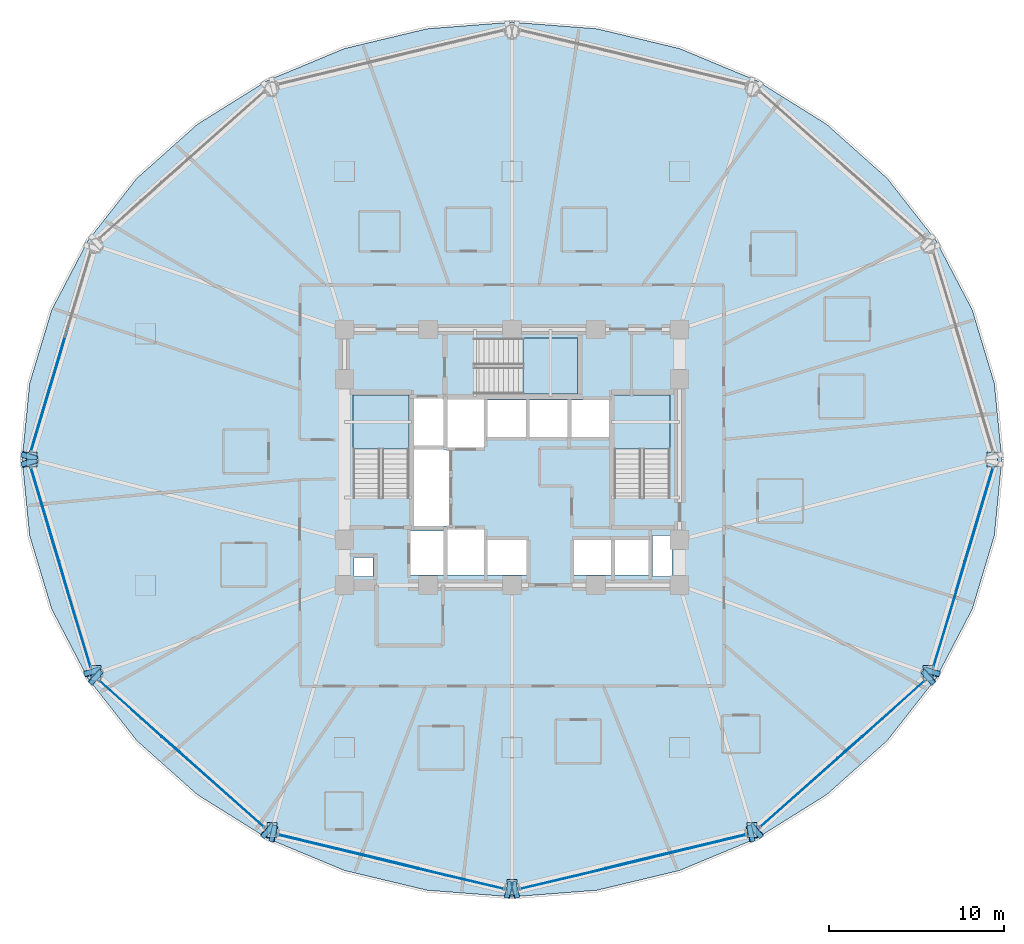
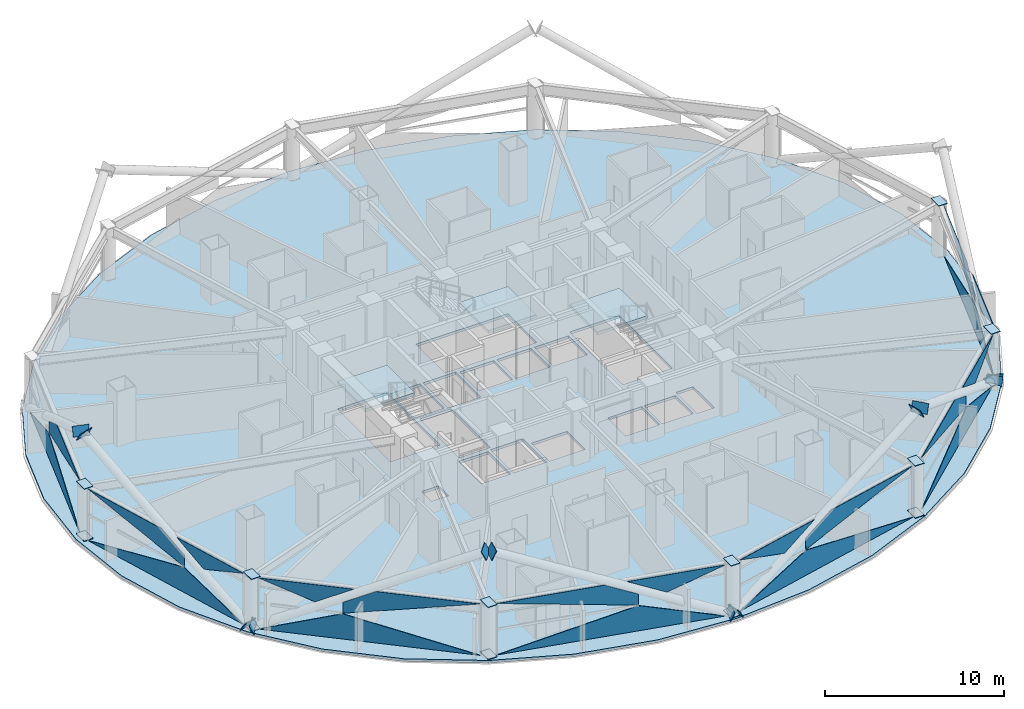
# One storey, part 20 of 30: 45 plates, 4 slabs, 10 elements without a shape of their own.
"""IFC4 building model written with IfcOpenShell, lengths in metres."""

from ifc_helpers import new_model, si_unit, direction, frame, origin, place, context, subcontext, project, spatial, polyline, outline, extrude, material, layer, layer_set, type_object, element, aggregate, save


model = new_model("IFC4")

# Units and contexts
model_context = context("Model", 3, precision=1e-05, world=origin(), true_north=direction((0.0, 1.0)))
body_context = subcontext(model_context, "Body", "Model", "MODEL_VIEW")
ifc_project = project(units=[si_unit("LENGTHUNIT", "METRE"), si_unit("AREAUNIT", "SQUARE_METRE"), si_unit("VOLUMEUNIT", "CUBIC_METRE"), si_unit("PLANEANGLEUNIT", "RADIAN"), si_unit("MASSUNIT", "GRAM", prefix="KILO")], contexts=[model_context])

# Site, building, storey
site_placement = place(None, origin())
site = spatial("IfcSite", under=ifc_project, at=site_placement, CompositionType="ELEMENT")
building_placement = place(site_placement, origin())
building = spatial("IfcBuilding", under=site, at=building_placement, Name="Vantalir Tower", CompositionType="ELEMENT")
storey_placement = place(building_placement, frame((0.0, 0.0, 79.5)))
storey = spatial("IfcBuildingStorey", under=building, at=storey_placement, Name="L19", CompositionType="ELEMENT", Elevation=79.5)

# Curtain wall, plates
ifc_material_1 = material(Name="Champagne-silver PVDF aluminium and double-silver Low-E glass", Category="aluminium")
ifc_layer_1 = layer(ifc_material_1, 0.18994140625)
ifc_layer_set_1 = layer_set([ifc_layer_1], Name="Champagne-silver PVDF aluminium and double-silver Low-E glass")
curtain_wall_type = type_object("IfcCurtainWallType", Name="CW-DIAMOND-Z1", PredefinedType="USERDEFINED", material=ifc_layer_set_1)
curtain_wall_1_placement = place(storey_placement, origin())
curtain_wall_1 = element("IfcCurtainWall", 1, at=curtain_wall_1_placement, inside=storey, type_object=curtain_wall_type, Name="L19 Quilted Pyramid-Diamond Curtain Wall S06", ObjectType="UNITISED CURTAIN WALL", PredefinedType="USERDEFINED")
ifc_material_2 = material(Name="Double-silver Low-E laminated glass IGU", Category="glass")
ifc_layer_2 = layer(ifc_material_2, 0.028076171875)
ifc_layer_set_2 = layer_set([ifc_layer_2], Name="Double-silver Low-E laminated glass IGU")
plate_type_1 = type_object("IfcPlateType", Name="CWP-IGU-28", PredefinedType="CURTAIN_PANEL", material=ifc_layer_set_2)
plate_1_placement = place(storey_placement, frame((7.38037109375, 36.877685546875, 0.046630859375), z_axis=(0.957576531214, -0.287852931613, 0.013706809609), x_axis=(-0.287879706856, -0.957666577657, -2.0485285e-05)))
plate_1 = element("IfcPlate", 2, at=plate_1_placement, type_object=plate_type_1, Name="CW-L19-S06 Pyramid Diamond Facet 1L", PredefinedType="CURTAIN_PANEL", context=body_context, shape_type="SweptSolid", body=[
    extrude(outline(polyline([(0.0, 0.0), (11.917853608351962, 2.4123498337802474e-18), (4.534687288101062, -1.7270617802419481), (0.0, 0.0)])), origin(), (0.0, 0.0, -1.0), 0.028076171875),
])
plate_2_placement = place(storey_placement, frame((5.560791015625, 30.82470703125, 3.5234375), z_axis=(-0.957582670666, 0.287834023631, 0.013674928905), x_axis=(-0.287860371805, -0.9576723889, 4.3393623e-05)))
plate_2 = element("IfcPlate", 3, at=plate_2_placement, type_object=plate_type_1, Name="CW-L19-S06 Pyramid Diamond Facet 2U", PredefinedType="CURTAIN_PANEL", context=body_context, shape_type="SweptSolid", body=[
    extrude(outline(polyline([(0.0, 0.0), (5.5972982099592965, 1.9244588561617704e-18), (-1.7859081451842334, -1.7268906202260148), (-1.7858114234151083, -0.9917157120097099), (0.0, 0.0)])), origin(), (0.0, 0.0, -1.0), 0.028076171875),
])
aggregate(curtain_wall_1, [plate_1, plate_2])

curtain_wall_2_placement = place(storey_placement, origin())
curtain_wall_2 = element("IfcCurtainWall", 4, at=curtain_wall_2_placement, inside=storey, type_object=curtain_wall_type, Name="L19 Quilted Pyramid-Diamond Curtain Wall S07", ObjectType="UNITISED CURTAIN WALL", PredefinedType="USERDEFINED")
plate_3_placement = place(storey_placement, frame((3.949462890625, 24.53564453125, 0.04638671875), z_axis=(0.957583575876, 0.287830421131, 0.013687362171), x_axis=(0.287857117969, -0.957673367707, 2.0483677e-05)))
plate_3 = element("IfcPlate", 5, at=plate_3_placement, type_object=plate_type_1, Name="CW-L19-S07 Pyramid Diamond Facet 1L", PredefinedType="CURTAIN_PANEL", context=body_context, shape_type="SweptSolid", body=[
    extrude(outline(polyline([(0.0, 0.0), (11.918788832934789, -4.7704895589362195e-18), (7.383634487741771, -1.7270613223907725), (0.0, 0.0)])), origin(), (0.0, 0.0, -1.0), 0.028076171875),
])
plate_4_placement = place(storey_placement, frame((3.949462890625, 24.53564453125, 3.523681640625), z_axis=(-0.957589333056, -0.287812943012, 0.013652071365), x_axis=(0.287839199755, -0.957678752609, -4.3431356e-05)))
plate_4 = element("IfcPlate", 6, at=plate_4_placement, type_object=plate_type_1, Name="CW-L19-S07 Pyramid Diamond Facet 2U", PredefinedType="CURTAIN_PANEL", context=body_context, shape_type="SweptSolid", body=[
    extrude(outline(polyline([(0.0, 0.0), (5.597765823143497, -2.8189256484623115e-18), (7.383577585382593, -0.9917151032901734), (7.383674555122366, -1.7268900133771146), (0.0, 0.0)])), origin(), (0.0, 0.0, -1.0), 0.028076171875),
])
plate_5_placement = place(storey_placement, frame((5.8798828125, 18.00244140625, 3.52392578125), z_axis=(-0.957581595134, -0.28783379683, 0.013754783307), x_axis=(0.287861028917, -0.957672192366, 0.0)))
plate_5 = element("IfcPlate", 7, at=plate_5_placement, type_object=plate_type_1, Name="CW-L19-S07 Pyramid Diamond Facet 2U Infill Light", PredefinedType="CURTAIN_PANEL", context=body_context, shape_type="SweptSolid", body=[
    extrude(outline(polyline([(0.0, 0.0), (5.1065290381811375, 0.0), (2.0772541677433884, -1.1536735923850039), (0.0, 0.0)])), origin(), (0.0, 0.0, -1.0), 0.028076171875),
])
aggregate(curtain_wall_2, [plate_3, plate_4, plate_5])

curtain_wall_3_placement = place(storey_placement, origin())
curtain_wall_3 = element("IfcCurtainWall", 8, at=curtain_wall_3_placement, inside=storey, type_object=curtain_wall_type, Name="L19 Quilted Pyramid-Diamond Curtain Wall S08", ObjectType="UNITISED CURTAIN WALL", PredefinedType="USERDEFINED")
plate_6_placement = place(storey_placement, frame((7.882080078125, 12.334228515625, 0.04638671875), z_axis=(0.665383015979, 0.746377578773, 0.013636420017), x_axis=(0.746446983636, -0.665444889244, 0.0)))
plate_6 = element("IfcPlate", 9, at=plate_6_placement, type_object=plate_type_1, Name="CW-L19-S08 Pyramid Diamond Facet 1L", PredefinedType="CURTAIN_PANEL", context=body_context, shape_type="SweptSolid", body=[
    extrude(outline(polyline([(0.0, 0.0), (12.607578137742053, 0.0), (4.792955458094728, -1.727455541206201), (0.0, 0.0)])), origin(), (0.0, 0.0, -1.0), 0.028076171875),
])
plate_7_placement = place(storey_placement, frame((12.865966796875, 7.89111328125, 3.523681640625), z_axis=(-0.66538287393, -0.746378223296, 0.013608044272), x_axis=(0.746447340565, -0.665444488867, 1.0289e-07)))
plate_7 = element("IfcPlate", 10, at=plate_7_placement, type_object=plate_type_1, Name="CW-L19-S08 Pyramid Diamond Facet 2U", PredefinedType="CURTAIN_PANEL", context=body_context, shape_type="SweptSolid", body=[
    extrude(outline(polyline([(0.0, 0.0), (5.930722604736275, -6.938893903907228e-18), (-1.8839002652668195, -1.7274546794970178), (-1.8840160835208484, -0.9932552276369246), (0.0, 0.0)])), origin(), (0.0, 0.0, -1.0), 0.028076171875),
])
plate_8_placement = place(storey_placement, frame((7.860595703125, 12.310302734375, 3.52392578125), z_axis=(-0.665363690523, -0.746397818064, 0.013470579883), x_axis=(0.746465546658, -0.665424066031, 0.0)))
plate_8 = element("IfcPlate", 11, at=plate_8_placement, type_object=plate_type_1, Name="CW-L19-S08 Pyramid Diamond Facet 2U Infill Light", PredefinedType="CURTAIN_PANEL", context=body_context, shape_type="SweptSolid", body=[
    extrude(outline(polyline([(0.0, 0.0), (5.413532671524257, -6.938893903907228e-18), (3.215199271602371, -1.158796546615566), (0.0, 0.0)])), origin(), (0.0, 0.0, -1.0), 0.028076171875),
])
aggregate(curtain_wall_3, [plate_6, plate_7, plate_8])

curtain_wall_4_placement = place(storey_placement, origin())
curtain_wall_4 = element("IfcCurtainWall", 12, at=curtain_wall_4_placement, inside=storey, type_object=curtain_wall_type, Name="L19 Quilted Pyramid-Diamond Curtain Wall S09", ObjectType="UNITISED CURTAIN WALL", PredefinedType="USERDEFINED")
plate_9_placement = place(storey_placement, frame((18.126708984375, 3.50927734375, 0.046142578125), z_axis=(0.232292162304, 0.972547391112, 0.01385364119), x_axis=(0.972640672429, -0.232314704653, 1.8405538e-05)))
plate_9 = element("IfcPlate", 13, at=plate_9_placement, type_object=plate_type_1, Name="CW-L19-S09 Pyramid Diamond Facet 1L", PredefinedType="CURTAIN_PANEL", context=body_context, shape_type="SweptSolid", body=[
    extrude(outline(polyline([(0.0, 0.0), (13.264519666759917, 3.4423418976414766e-18), (8.217727876589807, -1.7277977620566989), (0.0, 0.0)])), origin(), (0.0, 0.0, -1.0), 0.028076171875),
])
plate_10_placement = place(storey_placement, frame((18.126708984375, 3.50927734375, 3.523681640625), z_axis=(-0.232284758592, -0.972549558728, 0.013825582984), x_axis=(0.972642521077, -0.23230696544, -2.54893e-07)))
plate_10 = element("IfcPlate", 14, at=plate_10_placement, type_object=plate_type_1, Name="CW-L19-S09 Pyramid Diamond Facet 2U", PredefinedType="CURTAIN_PANEL", context=body_context, shape_type="SweptSolid", body=[
    extrude(outline(polyline([(0.0, 0.0), (6.247354642734053, 0.0), (8.217745416262733, -0.9908152616868431), (8.217696326819132, -1.7277036906336618), (0.0, 0.0)])), origin(), (0.0, 0.0, -1.0), 0.028076171875),
])
plate_11_placement = place(storey_placement, frame((25.4716796875, 1.721923828125, 3.524169921875), z_axis=(-0.232290567299, -0.972550789261, 0.013640185139), x_axis=(0.972641139188, -0.232312747235, -4.2791075e-05)))
plate_11 = element("IfcPlate", 15, at=plate_11_placement, type_object=plate_type_1, Name="CW-L19-S09 Pyramid Diamond Facet 2U Infill Light", PredefinedType="CURTAIN_PANEL", context=body_context, shape_type="SweptSolid", body=[
    extrude(outline(polyline([(0.0, 0.0), (5.705409922186166, 1.2468324983583301e-18), (2.310849567881098, -1.1621186061410649), (0.0, 0.0)])), origin(), (0.0, 0.0, -1.0), 0.028076171875),
])
aggregate(curtain_wall_4, [plate_9, plate_10, plate_11])

curtain_wall_5_placement = place(storey_placement, origin())
curtain_wall_5 = element("IfcCurtainWall", 16, at=curtain_wall_5_placement, inside=storey, type_object=curtain_wall_type, Name="L19 Quilted Pyramid-Diamond Curtain Wall S10", ObjectType="UNITISED CURTAIN WALL", PredefinedType="USERDEFINED")
plate_12_placement = place(storey_placement, frame((31.9716796875, 0.427734375, 0.04638671875), z_axis=(-0.232292162304, 0.972547391112, 0.01385364119), x_axis=(0.972640672429, 0.232314704653, -1.8405538e-05)))
plate_12 = element("IfcPlate", 17, at=plate_12_placement, type_object=plate_type_1, Name="CW-L19-S10 Pyramid Diamond Facet 1L", PredefinedType="CURTAIN_PANEL", context=body_context, shape_type="SweptSolid", body=[
    extrude(outline(polyline([(0.0, 0.0), (13.264519666759917, -3.4423418976414766e-18), (5.046791790170109, -1.7277977620566987), (0.0, 0.0)])), origin(), (0.0, 0.0, -1.0), 0.028076171875),
])
plate_13_placement = place(storey_placement, frame((38.796875, 2.057861328125, 3.523681640625), z_axis=(0.232284758592, -0.972549558728, 0.013825582984), x_axis=(0.972642521077, 0.23230696544, 2.54893e-07)))
plate_13 = element("IfcPlate", 18, at=plate_13_placement, type_object=plate_type_1, Name="CW-L19-S10 Pyramid Diamond Facet 2U", PredefinedType="CURTAIN_PANEL", context=body_context, shape_type="SweptSolid", body=[
    extrude(outline(polyline([(0.0, 0.0), (6.247354642734053, 0.0), (-1.970341684085077, -1.7277036906336618), (-1.970390773528679, -0.9908152616868431), (0.0, 0.0)])), origin(), (0.0, 0.0, -1.0), 0.028076171875),
])
plate_14_placement = place(storey_placement, frame((31.97900390625, 0.396484375, 3.52392578125), z_axis=(0.232290567299, -0.972550789261, 0.013640185139), x_axis=(0.972641139188, 0.232312747235, 4.2791075e-05)))
plate_14 = element("IfcPlate", 19, at=plate_14_placement, type_object=plate_type_1, Name="CW-L19-S10 Pyramid Diamond Facet 2U Infill Light", PredefinedType="CURTAIN_PANEL", context=body_context, shape_type="SweptSolid", body=[
    extrude(outline(polyline([(0.0, 0.0), (5.705409922186166, -1.2468324983583301e-18), (3.394560354305068, -1.1621186061410647), (0.0, 0.0)])), origin(), (0.0, 0.0, -1.0), 0.028076171875),
])
aggregate(curtain_wall_5, [plate_12, plate_13, plate_14])

curtain_wall_6_placement = place(storey_placement, origin())
curtain_wall_6 = element("IfcCurtainWall", 20, at=curtain_wall_6_placement, inside=storey, type_object=curtain_wall_type, Name="L19 Quilted Pyramid-Diamond Curtain Wall S11", ObjectType="UNITISED CURTAIN WALL", PredefinedType="USERDEFINED")
plate_15_placement = place(storey_placement, frame((45.70703125, 3.944580078125, 0.04638671875), z_axis=(-0.665383015979, 0.746377578773, 0.013636420017), x_axis=(0.746446983636, 0.665444889244, 0.0)))
plate_15 = element("IfcPlate", 21, at=plate_15_placement, type_object=plate_type_1, Name="CW-L19-S11 Pyramid Diamond Facet 1L", PredefinedType="CURTAIN_PANEL", context=body_context, shape_type="SweptSolid", body=[
    extrude(outline(polyline([(0.0, 0.0), (12.607578137742053, 0.0), (7.814622679647325, -1.727455541206201), (0.0, 0.0)])), origin(), (0.0, 0.0, -1.0), 0.028076171875),
])
plate_16_placement = place(storey_placement, frame((45.70703125, 3.944580078125, 3.523681640625), z_axis=(0.66538287393, -0.746378223296, 0.013608044272), x_axis=(0.746447340565, 0.665444488867, -1.0289e-07)))
plate_16 = element("IfcPlate", 22, at=plate_16_placement, type_object=plate_type_1, Name="CW-L19-S11 Pyramid Diamond Facet 2U", PredefinedType="CURTAIN_PANEL", context=body_context, shape_type="SweptSolid", body=[
    extrude(outline(polyline([(0.0, 0.0), (5.930722604736275, 6.938893903907228e-18), (7.814738688257123, -0.9932552276369246), (7.814622870003094, -1.7274546794970178), (0.0, 0.0)])), origin(), (0.0, 0.0, -1.0), 0.028076171875),
])
plate_17_placement = place(storey_placement, frame((51.098388671875, 8.7080078125, 3.52392578125), z_axis=(0.665363690523, -0.746397818064, 0.013470579883), x_axis=(0.746465546658, 0.665424066031, 0.0)))
plate_17 = element("IfcPlate", 23, at=plate_17_placement, type_object=plate_type_1, Name="CW-L19-S11 Pyramid Diamond Facet 2U Infill Light", PredefinedType="CURTAIN_PANEL", context=body_context, shape_type="SweptSolid", body=[
    extrude(outline(polyline([(0.0, 0.0), (5.413532671524257, 6.938893903907228e-18), (2.1983333999218857, -1.158796546615566), (0.0, 0.0)])), origin(), (0.0, 0.0, -1.0), 0.028076171875),
])
aggregate(curtain_wall_6, [plate_15, plate_16, plate_17])

curtain_wall_7_placement = place(storey_placement, origin())
curtain_wall_7 = element("IfcCurtainWall", 24, at=curtain_wall_7_placement, inside=storey, type_object=curtain_wall_type, Name="L19 Quilted Pyramid-Diamond Curtain Wall S12", ObjectType="UNITISED CURTAIN WALL", PredefinedType="USERDEFINED")
plate_18_placement = place(storey_placement, frame((55.61962890625, 13.121337890625, 0.046630859375), z_axis=(-0.957583575876, 0.287830421131, 0.013687362171), x_axis=(0.287857117969, 0.957673367707, -2.0483677e-05)))
plate_18 = element("IfcPlate", 25, at=plate_18_placement, type_object=plate_type_1, Name="CW-L19-S12 Pyramid Diamond Facet 1L", PredefinedType="CURTAIN_PANEL", context=body_context, shape_type="SweptSolid", body=[
    extrude(outline(polyline([(0.0, 0.0), (11.918788832934789, 4.7704895589362195e-18), (4.535154345193018, -1.7270613223907725), (0.0, 0.0)])), origin(), (0.0, 0.0, -1.0), 0.028076171875),
])
plate_19_placement = place(storey_placement, frame((57.439208984375, 19.1748046875, 3.5234375), z_axis=(0.957589333056, -0.287812943012, 0.013652071365), x_axis=(0.287839199755, 0.957678752609, 4.3431356e-05)))
plate_19 = element("IfcPlate", 26, at=plate_19_placement, type_object=plate_type_1, Name="CW-L19-S12 Pyramid Diamond Facet 2U", PredefinedType="CURTAIN_PANEL", context=body_context, shape_type="SweptSolid", body=[
    extrude(outline(polyline([(0.0, 0.0), (5.597765823143497, 2.8189256484623115e-18), (-1.785908731978868, -1.7268900133771148), (-1.7858117622390948, -0.9917151032901734), (0.0, 0.0)])), origin(), (0.0, 0.0, -1.0), 0.028076171875),
])
plate_20_placement = place(storey_placement, frame((55.650146484375, 13.112060546875, 3.52392578125), z_axis=(0.957581595134, -0.28783379683, 0.013754783307), x_axis=(0.287861028917, 0.957672192366, 0.0)))
plate_20 = element("IfcPlate", 27, at=plate_20_placement, type_object=plate_type_1, Name="CW-L19-S12 Pyramid Diamond Facet 2U Infill Light", PredefinedType="CURTAIN_PANEL", context=body_context, shape_type="SweptSolid", body=[
    extrude(outline(polyline([(0.0, 0.0), (5.1065290381811375, 0.0), (3.0292748704377486, -1.1536735923850039), (0.0, 0.0)])), origin(), (0.0, 0.0, -1.0), 0.028076171875),
])
aggregate(curtain_wall_7, [plate_18, plate_19, plate_20])

# Plates
ifc_material_3 = material(Name="Steel S460", Category="steel")
ifc_layer_3 = layer(ifc_material_3, 0.0400390625)
ifc_layer_set_3 = layer_set([ifc_layer_3], Name="Steel S460")
plate_type_2 = type_object("IfcPlateType", Name="PLT-KN-Z1", PredefinedType="USERDEFINED", material=ifc_layer_set_3)
plate_21_placement = place(storey_placement, frame((3.359130859375, 25.14990234375, 6.877685546875), z_axis=(-0.251647031705, -0.837175750118, 0.485603268984), x_axis=(0.957670515675, -0.287866606966, 0.0)))
element("IfcPlate", 28, at=plate_21_placement, inside=storey, type_object=plate_type_2, Name="Node Cap Plate MEM-DG-L19-R16L End", ObjectType="FLANGE_PLATE", PredefinedType="USERDEFINED", context=body_context, shape_type="SweptSolid", body=[
    extrude(outline(polyline([(0.0, 0.0), (0.9498757180684223, -2.7755575615628914e-17), (0.9498763455678272, 0.6200011617892571), (6.274994048326656e-07, 0.6200011617892571), (0.0, 0.0)])), origin(), (0.0, 0.0, -1.0), 0.0400390625),
])
plate_22_placement = place(storey_placement, frame((7.46240234375, 12.072021484375, -0.087890625), z_axis=(0.66037258702, -0.588538598208, 0.466401505928), x_axis=(0.665336277327, 0.746543795147, 0.0)))
element("IfcPlate", 29, at=plate_22_placement, inside=storey, type_object=plate_type_2, Name="Node Cap Plate MEM-DG-L19-R22L Start", ObjectType="FLANGE_PLATE", PredefinedType="USERDEFINED", context=body_context, shape_type="SweptSolid", body=[
    extrude(outline(polyline([(0.0, 0.0), (0.9500159538334854, 0.0), (0.9500450655079411, 0.6198920367526048), (2.9111674455767345e-05, 0.6198920367526048), (0.0, 0.0)])), origin(), (0.0, 0.0, -1.0), 0.0400390625),
])
plate_23_placement = place(storey_placement, frame((17.32275390625, 3.281982421875, 6.878173828125), z_axis=(0.660271928184, -0.588651522751, 0.466401506875), x_axis=(0.665463937631, 0.746430001885, 0.0)))
element("IfcPlate", 30, at=plate_23_placement, inside=storey, type_object=plate_type_2, Name="Node Cap Plate MEM-DG-L19-R22L End", ObjectType="FLANGE_PLATE", PredefinedType="USERDEFINED", context=body_context, shape_type="SweptSolid", body=[
    extrude(outline(polyline([(0.0, 0.0), (0.9498337060541948, 5.551115123125783e-17), (0.9498133741742203, 0.6198920371027498), (-2.0331879974522238e-05, 0.6198920371027498), (0.0, 0.0)])), origin(), (0.0, 0.0, -1.0), 0.0400390625),
])
plate_24_placement = place(storey_placement, frame((7.874267578125, 13.128662109375, -0.080322265625), z_axis=(-0.251585105005, 0.837194362817, 0.485603267912), x_axis=(-0.957691806649, -0.287795766956, 0.0)))
element("IfcPlate", 31, at=plate_24_placement, inside=storey, type_object=plate_type_2, Name="Node Cap Plate MEM-DG-L19-R22R Start", ObjectType="FLANGE_PLATE", PredefinedType="USERDEFINED", context=body_context, shape_type="SweptSolid", body=[
    extrude(outline(polyline([(0.0, 0.0), (0.950109526945979, -2.7755575615628914e-17), (0.9500866288539949, 0.6200011613667346), (-2.289809198414252e-05, 0.6200011613667346), (0.0, 0.0)])), origin(), (0.0, 0.0, -1.0), 0.0400390625),
])
plate_25_placement = place(storey_placement, frame((4.268798828125, 25.12353515625, 6.877685546875), z_axis=(-0.251647031705, 0.837175750118, 0.485603268984), x_axis=(-0.957670515675, -0.287866606966, 0.0)))
element("IfcPlate", 32, at=plate_25_placement, inside=storey, type_object=plate_type_2, Name="Node Cap Plate MEM-DG-L19-R22R End", ObjectType="FLANGE_PLATE", PredefinedType="USERDEFINED", context=body_context, shape_type="SweptSolid", body=[
    extrude(outline(polyline([(0.0, 0.0), (0.9498757180684223, 2.7755575615628914e-17), (0.9498750905690174, 0.6200011617892571), (-6.274994048326656e-07, 0.6200011617892571), (0.0, 0.0)])), origin(), (0.0, 0.0, -1.0), 0.0400390625),
])
plate_26_placement = place(storey_placement, frame((31.94384765625, -0.0673828125, -0.094482421875), z_axis=(0.868979514923, 0.207659701783, 0.449168176633), x_axis=(-0.232400734814, 0.97262011903, -5.0150612e-05)))
element("IfcPlate", 33, at=plate_26_placement, inside=storey, type_object=plate_type_2, Name="Node Cap Plate MEM-DG-L19-R28L Start", ObjectType="FLANGE_PLATE", PredefinedType="USERDEFINED", context=body_context, shape_type="SweptSolid", body=[
    extrude(outline(polyline([(0.0, 0.0), (0.9500628454106816, 0.0), (0.9500888933505065, 0.6200732502348774), (-3.069052082319247e-05, 0.6199665899761659), (0.0, 0.0)])), origin(), (0.0, 0.0, -1.0), 0.0400390625),
])
plate_27_placement = place(storey_placement, frame((45.427490234375, 3.1533203125, 6.878662109375), z_axis=(0.868853349314, 0.207514776164, 0.449479115265), x_axis=(-0.232303709897, 0.972643298629, 0.0)))
element("IfcPlate", 34, at=plate_27_placement, inside=storey, type_object=plate_type_2, Name="Node Cap Plate MEM-DG-L19-R28L End", ObjectType="FLANGE_PLATE", PredefinedType="USERDEFINED", context=body_context, shape_type="SweptSolid", body=[
    extrude(outline(polyline([(0.0, 0.0), (0.9500628513325243, 0.0), (0.9500888874285016, 0.61985516101454), (2.6036095977323395e-05, 0.61985516101454), (0.0, 0.0)])), origin(), (0.0, 0.0, -1.0), 0.0400390625),
])
plate_28_placement = place(storey_placement, frame((31.27685546875, 0.856689453125, -0.094482421875), z_axis=(-0.868979514923, 0.207659701783, 0.449168176633), x_axis=(-0.232400734814, -0.97262011903, 5.0150612e-05)))
element("IfcPlate", 35, at=plate_28_placement, inside=storey, type_object=plate_type_2, Name="Node Cap Plate MEM-DG-L19-R28R Start", ObjectType="FLANGE_PLATE", PredefinedType="USERDEFINED", context=body_context, shape_type="SweptSolid", body=[
    extrude(outline(polyline([(0.0, 0.0), (0.9500628454106816, 0.0), (0.9500935359315049, 0.6199665899761659), (-2.6047939824827885e-05, 0.6200732502348774), (0.0, 0.0)])), origin(), (0.0, 0.0, -1.0), 0.0400390625),
])
plate_29_placement = place(storey_placement, frame((17.793212890625, 4.077392578125, 6.878662109375), z_axis=(-0.868853349314, 0.207514776164, 0.449479115265), x_axis=(-0.232303709897, -0.972643298629, 0.0)))
element("IfcPlate", 36, at=plate_29_placement, inside=storey, type_object=plate_type_2, Name="Node Cap Plate MEM-DG-L19-R28R End", ObjectType="FLANGE_PLATE", PredefinedType="USERDEFINED", context=body_context, shape_type="SweptSolid", body=[
    extrude(outline(polyline([(0.0, 0.0), (0.9500628513325243, 0.0), (0.950036815236547, 0.61985516101454), (-2.6036095977323395e-05, 0.61985516101454), (0.0, 0.0)])), origin(), (0.0, 0.0, -1.0), 0.0400390625),
])
plate_30_placement = place(storey_placement, frame((56.03564453125, 12.855224609375, -0.080322265625), z_axis=(0.251585105005, 0.837194362817, 0.485603267912), x_axis=(-0.957691806649, 0.287795766956, 0.0)))
element("IfcPlate", 37, at=plate_30_placement, inside=storey, type_object=plate_type_2, Name="Node Cap Plate MEM-DG-L19-R34L Start", ObjectType="FLANGE_PLATE", PredefinedType="USERDEFINED", context=body_context, shape_type="SweptSolid", body=[
    extrude(outline(polyline([(0.0, 0.0), (0.950109526945979, 2.7755575615628914e-17), (0.9501324250379632, 0.6200011613667347), (2.289809198414252e-05, 0.6200011613667346), (0.0, 0.0)])), origin(), (0.0, 0.0, -1.0), 0.0400390625),
])
plate_31_placement = place(storey_placement, frame((54.905517578125, 12.78125, -0.087890625), z_axis=(-0.66037258702, -0.588538598208, 0.466401505928), x_axis=(0.665336277327, -0.746543795147, 0.0)))
element("IfcPlate", 38, at=plate_31_placement, inside=storey, type_object=plate_type_2, Name="Node Cap Plate MEM-DG-L19-R34R Start", ObjectType="FLANGE_PLATE", PredefinedType="USERDEFINED", context=body_context, shape_type="SweptSolid", body=[
    extrude(outline(polyline([(0.0, 0.0), (0.9500159538334854, 0.0), (0.9499868421590296, 0.6198920367526048), (-2.9111674455767345e-05, 0.6198920367526048), (0.0, 0.0)])), origin(), (0.0, 0.0, -1.0), 0.0400390625),
])
plate_32_placement = place(storey_placement, frame((45.045166015625, 3.990966796875, 6.878173828125), z_axis=(-0.660271928184, -0.588651522751, 0.466401506875), x_axis=(0.665463937631, -0.746430001885, 0.0)))
element("IfcPlate", 39, at=plate_32_placement, inside=storey, type_object=plate_type_2, Name="Node Cap Plate MEM-DG-L19-R34R End", ObjectType="FLANGE_PLATE", PredefinedType="USERDEFINED", context=body_context, shape_type="SweptSolid", body=[
    extrude(outline(polyline([(0.0, 0.0), (0.9498337060541948, -5.551115123125783e-17), (0.9498540379341693, 0.6198920371027498), (2.0331879974522238e-05, 0.6198920371027498), (0.0, 0.0)])), origin(), (0.0, 0.0, -1.0), 0.0400390625),
])
ifc_layer_4 = layer(ifc_material_3, 0.035888671875)
ifc_layer_set_4 = layer_set([ifc_layer_4], Name="Steel S460")
plate_type_3 = type_object("IfcPlateType", Name="PLT-KN-Z2", PredefinedType="USERDEFINED", material=ifc_layer_set_4)
for number, where, z_axis, x_axis, name in (
    (40, (58.7099609375, 25.43994140625, 3.597900390625), (0.0, 0.0, 1.0), (0.0, -1.0, 0.0), "L19 Ring Column Top Cap RC01"),
    (41, (3.7099609375, 25.43994140625, 3.597900390625), (0.0, 0.0, 1.0), (0.0, -1.0, 0.0), "L19 Ring Column Top Cap RC07"),
    (42, (3.7099609375, 25.43994140625, 0.052978515625), (0.0, 0.0, 1.0), (0.0, -1.0, 0.0), "L19 Ring Column Base Cap RC07"),
    (43, (7.39404296875, 13.19189453125, 3.597900390625), (0.0, 0.0, 1.0), (0.0, -1.0, 0.0), "L19 Ring Column Top Cap RC08"),
    (44, (7.39404296875, 13.19189453125, 0.052978515625), (0.0, 0.0, 1.0), (0.0, -1.0, 0.0), "L19 Ring Column Base Cap RC08"),
):
    element("IfcPlate", number, at=place(storey_placement, frame(where, z_axis=z_axis, x_axis=x_axis)), inside=storey, type_object=plate_type_3, Name=name, ObjectType="FLANGE_PLATE", PredefinedType="USERDEFINED", context=body_context, shape_type="SweptSolid", body=[
        extrude(outline(polyline([(0.0, 0.0), (0.8798828125, 0.0), (0.8798828125, 0.580078125), (0.0, 0.580078125), (0.0, 0.0)])), origin(), (0.0, 0.0, -1.0), 0.035888671875),
    ])
for number, where, z_axis, x_axis, name in (
    (45, (17.4599609375, 4.22705078125, 3.597900390625), (0.0, 0.0, 1.0), (0.0, -1.0, 0.0), "L19 Ring Column Top Cap RC09"),
    (46, (17.4599609375, 4.22705078125, 0.052978515625), (0.0, 0.0, 1.0), (0.0, -1.0, 0.0), "L19 Ring Column Base Cap RC09"),
    (47, (31.2099609375, 0.945068359375, 3.597900390625), (0.0, 0.0, 1.0), (0.0, -1.0, 0.0), "L19 Ring Column Top Cap RC10"),
    (48, (31.2099609375, 0.945068359375, 0.052978515625), (0.0, 0.0, 1.0), (0.0, -1.0, 0.0), "L19 Ring Column Base Cap RC10"),
    (49, (44.9599609375, 4.22705078125, 3.597900390625), (0.0, 0.0, 1.0), (0.0, -1.0, 0.0), "L19 Ring Column Top Cap RC11"),
    (50, (44.9599609375, 4.22705078125, 0.052978515625), (0.0, 0.0, 1.0), (0.0, -1.0, 0.0), "L19 Ring Column Base Cap RC11"),
):
    element("IfcPlate", number, at=place(storey_placement, frame(where, z_axis=z_axis, x_axis=x_axis)), inside=storey, type_object=plate_type_3, Name=name, ObjectType="FLANGE_PLATE", PredefinedType="USERDEFINED", context=body_context, shape_type="SweptSolid", body=[
        extrude(outline(polyline([(0.0, 0.0), (0.880126953125, 0.0), (0.880126953125, 0.580078125), (0.0, 0.580078125), (0.0, 0.0)])), origin(), (0.0, 0.0, -1.0), 0.035888671875),
    ])
for number, where, z_axis, x_axis, name in (
    (51, (55.02587890625, 13.19189453125, 3.597900390625), (0.0, 0.0, 1.0), (0.0, -1.0, 0.0), "L19 Ring Column Top Cap RC12"),
    (52, (55.02587890625, 13.19189453125, 0.052978515625), (0.0, 0.0, 1.0), (0.0, -1.0, 0.0), "L19 Ring Column Base Cap RC12"),
):
    element("IfcPlate", number, at=place(storey_placement, frame(where, z_axis=z_axis, x_axis=x_axis)), inside=storey, type_object=plate_type_3, Name=name, ObjectType="FLANGE_PLATE", PredefinedType="USERDEFINED", context=body_context, shape_type="SweptSolid", body=[
        extrude(outline(polyline([(0.0, 0.0), (0.8798828125, 0.0), (0.8798828125, 0.580078125), (0.0, 0.580078125), (0.0, 0.0)])), origin(), (0.0, 0.0, -1.0), 0.035888671875),
    ])

# Stair, slab
ifc_material_4 = material(Name="Concrete C40/50", Category="concrete")
stair_type = type_object("IfcStairType", Name="STR-CORE-1450", PredefinedType="HALF_TURN_STAIR", material=ifc_material_4)
stair_1_placement = place(storey_placement, origin())
stair_1 = element("IfcStair", 53, at=stair_1_placement, inside=storey, type_object=stair_type, Name="L19 Core Exit Stair 1", PredefinedType="HALF_TURN_STAIR")
ifc_layer_5 = layer(ifc_material_4, 0.199951171875)
ifc_layer_set_5 = layer_set([ifc_layer_5], Name="Concrete C40/50")
slab_type_1 = type_object("IfcSlabType", Name="SL-LAND-200", PredefinedType="LANDING", material=ifc_layer_set_5)
slab_1_placement = place(storey_placement, frame((0.0, 0.0, 1.675048828125)))
slab_1 = element("IfcSlab", 54, at=slab_1_placement, type_object=slab_type_1, Name="ST1 landing 1", PredefinedType="LANDING", context=body_context, shape_type="SweptSolid", body=[
    extrude(outline(polyline([(25.60009765625, 25.590087890625), (25.60009765625, 28.699951171875), (22.39990234375, 28.699951171875), (22.39990234375, 25.590087890625), (25.60009765625, 25.590087890625)])), origin(), (0.0, 0.0, 1.0), 0.199951171875),
])
aggregate(stair_1, [slab_1])

stair_2_placement = place(storey_placement, origin())
stair_2 = element("IfcStair", 55, at=stair_2_placement, inside=storey, type_object=stair_type, Name="L19 Core Exit Stair 2", PredefinedType="HALF_TURN_STAIR")
slab_2_placement = place(storey_placement, frame((0.0, 0.0, 1.675048828125)))
slab_2 = element("IfcSlab", 56, at=slab_2_placement, type_object=slab_type_1, Name="ST2 landing 1", PredefinedType="LANDING", context=body_context, shape_type="SweptSolid", body=[
    extrude(outline(polyline([(40.550048828125, 25.590087890625), (40.550048828125, 28.699951171875), (37.35009765625, 28.699951171875), (37.35009765625, 25.590087890625), (40.550048828125, 25.590087890625)])), origin(), (0.0, 0.0, 1.0), 0.199951171875),
])
aggregate(stair_2, [slab_2])

stair_3_placement = place(storey_placement, origin())
stair_3 = element("IfcStair", 57, at=stair_3_placement, inside=storey, type_object=stair_type, Name="L19 Core Exit Stair 3", PredefinedType="HALF_TURN_STAIR")
slab_3_placement = place(storey_placement, frame((0.0, 0.0, 1.675048828125)))
slab_3 = element("IfcSlab", 58, at=slab_3_placement, type_object=slab_type_1, Name="ST3 landing 1", PredefinedType="LANDING", context=body_context, shape_type="SweptSolid", body=[
    extrude(outline(polyline([(32.139892578125, 28.75), (35.25, 28.75), (35.25, 31.949951171875), (32.139892578125, 31.949951171875), (32.139892578125, 28.75)])), origin(), (0.0, 0.0, 1.0), 0.199951171875),
])
aggregate(stair_3, [slab_3])

# Slab
ifc_layer_6 = layer(ifc_material_4, 0.179931640625)
ifc_layer_set_6 = layer_set([ifc_layer_6], Name="Concrete C40/50")
slab_type_2 = type_object("IfcSlabType", Name="SL-TWR-180", PredefinedType="FLOOR", material=ifc_layer_set_6)
slab_4_placement = place(storey_placement, frame((0.0, 0.0, -0.179931640625)))
element("IfcSlab", 59, at=slab_4_placement, inside=storey, type_object=slab_type_2, Name="L19 Primary Structural Slab", PredefinedType="FLOOR", context=body_context, shape_type="SweptSolid", body=[
    extrude(outline(polyline([(7.2080078125, 12.47705078125), (10.011962890625, 8.90087890625), (13.469970703125, 5.81396484375), (17.47509765625, 3.31005859375), (21.906005859375, 1.465087890625), (26.62890625, 0.3349609375), (31.5, -0.044921875), (36.37109375, 0.3349609375), (41.093994140625, 1.465087890625), (45.52490234375, 3.31005859375), (49.530029296875, 5.81396484375), (52.988037109375, 8.90087890625), (55.7919921875, 12.47705078125), (57.85791015625, 16.43408203125), (59.1240234375, 20.65087890625), (59.550048828125, 25.0), (59.1240234375, 29.34912109375), (57.85791015625, 33.56591796875), (55.7919921875, 37.52197265625), (52.988037109375, 41.09912109375), (49.530029296875, 44.18603515625), (45.52490234375, 46.68994140625), (41.093994140625, 48.534912109375), (36.37109375, 49.6650390625), (31.5, 50.044921875), (26.62890625, 49.6650390625), (21.906005859375, 48.534912109375), (17.47509765625, 46.68994140625), (13.469970703125, 44.18603515625), (10.011962890625, 41.09912109375), (7.2080078125, 37.52197265625), (5.14208984375, 33.56591796875), (3.8759765625, 29.34912109375), (3.449951171875, 25.0), (3.8759765625, 20.65087890625), (5.14208984375, 16.43408203125), (7.2080078125, 12.47705078125)]), holes=[polyline([(22.39990234375, 22.7900390625), (22.39990234375, 28.699951171875), (25.60009765625, 28.699951171875), (25.60009765625, 22.7900390625), (22.39990234375, 22.7900390625)]), polyline([(37.35009765625, 28.699951171875), (40.550048828125, 28.699951171875), (40.550048828125, 22.7900390625), (37.35009765625, 22.7900390625), (37.35009765625, 28.699951171875)]), polyline([(35.25, 28.75), (29.340087890625, 28.75), (29.340087890625, 31.949951171875), (35.25, 31.949951171875), (35.25, 28.75)]), polyline([(27.60009765625, 18.39990234375), (25.699951171875, 18.39990234375), (25.699951171875, 20.89990234375), (27.60009765625, 20.89990234375), (27.60009765625, 18.39990234375)]), polyline([(25.699951171875, 25.800048828125), (25.699951171875, 28.5), (27.60009765625, 28.5), (27.60009765625, 25.800048828125), (25.699951171875, 25.800048828125)]), polyline([(27.800048828125, 21.0), (29.89990234375, 21.0), (29.89990234375, 18.39990234375), (27.800048828125, 18.39990234375), (27.800048828125, 21.0)]), polyline([(29.89990234375, 28.5), (29.89990234375, 25.699951171875), (27.800048828125, 25.699951171875), (27.800048828125, 28.5), (29.89990234375, 28.5)]), polyline([(32.39990234375, 18.39990234375), (30.10009765625, 18.39990234375), (30.10009765625, 20.39990234375), (32.39990234375, 20.39990234375), (32.39990234375, 18.39990234375)]), polyline([(37.35009765625, 18.39990234375), (37.35009765625, 20.39990234375), (39.35009765625, 20.39990234375), (39.35009765625, 18.39990234375), (37.35009765625, 18.39990234375)]), polyline([(35.0, 20.39990234375), (37.199951171875, 20.39990234375), (37.199951171875, 18.39990234375), (35.0, 18.39990234375), (35.0, 20.39990234375)]), polyline([(32.300048828125, 28.39990234375), (32.300048828125, 26.300048828125), (30.10009765625, 26.300048828125), (30.10009765625, 28.39990234375), (32.300048828125, 28.39990234375)]), polyline([(34.699951171875, 26.300048828125), (32.5, 26.300048828125), (32.5, 28.39990234375), (34.699951171875, 28.39990234375), (34.699951171875, 26.300048828125)]), polyline([(34.89990234375, 26.300048828125), (34.89990234375, 28.39990234375), (37.10009765625, 28.39990234375), (37.10009765625, 26.300048828125), (34.89990234375, 26.300048828125)]), polyline([(25.889892578125, 25.56005859375), (27.89990234375, 25.56005859375), (27.89990234375, 21.199951171875), (25.889892578125, 21.199951171875), (25.889892578125, 25.56005859375)]), polyline([(23.550048828125, 19.39990234375), (23.550048828125, 18.300048828125), (22.449951171875, 18.300048828125), (22.449951171875, 19.39990234375), (23.550048828125, 19.39990234375)]), polyline([(40.64990234375, 18.300048828125), (39.550048828125, 18.300048828125), (39.550048828125, 20.64990234375), (40.64990234375, 20.64990234375), (40.64990234375, 18.300048828125)])]), origin(), (0.0, 0.0, 1.0), 0.179931640625),
])

save(model, "model.ifc")
